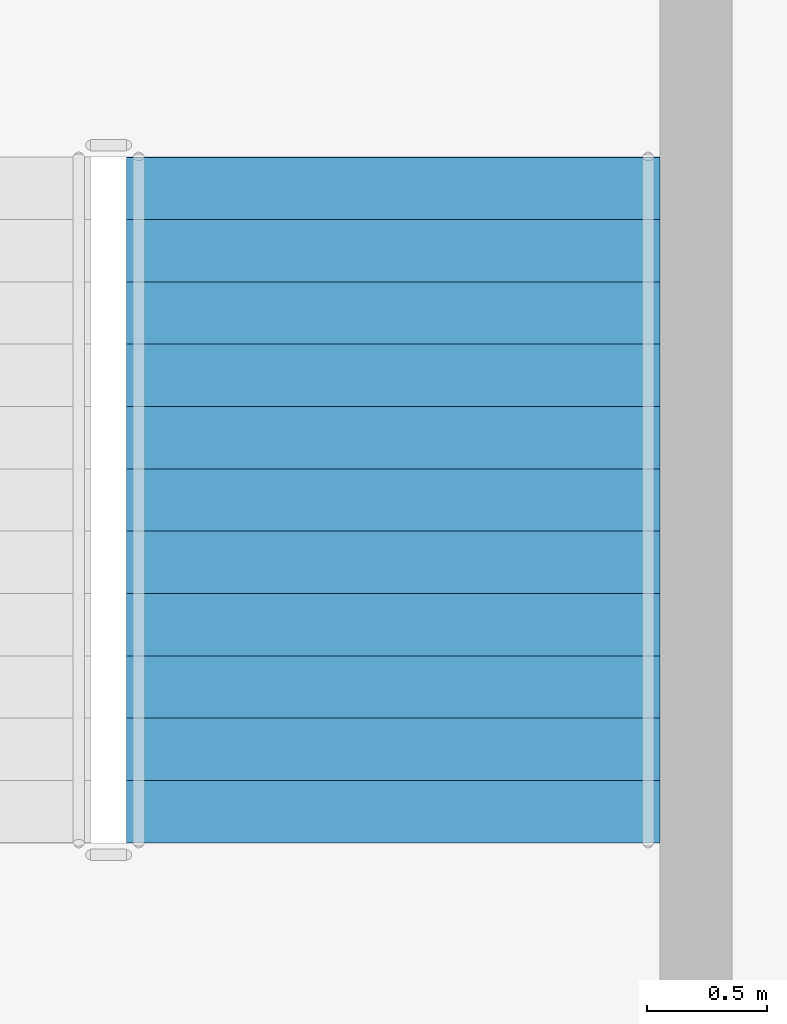
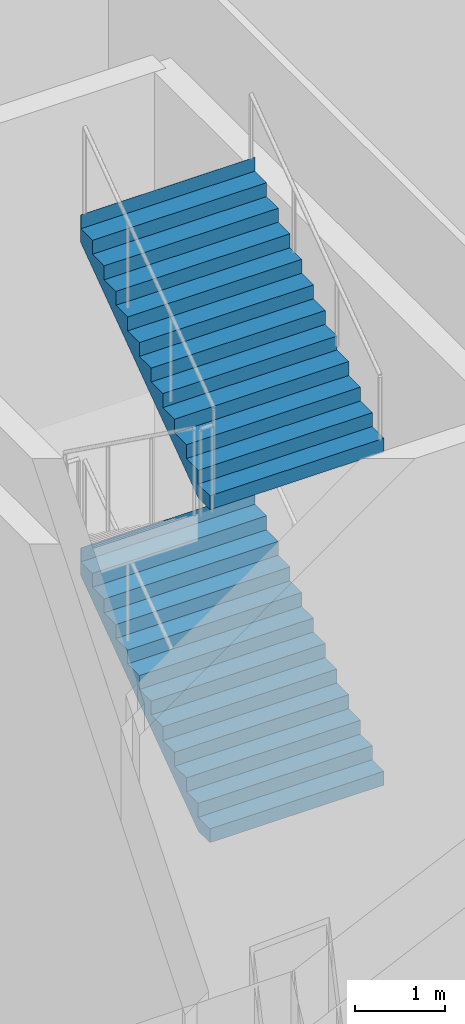
# One storey, part 16 of 35: 2 stair flights, 1 element without a shape of its own.
"""IFC4 building model written with IfcOpenShell, lengths in metres."""

from ifc_helpers import new_model, si_unit, direction, frame, origin, place, context, subcontext, project, spatial, triangles, material, type_object, element, aggregate, save


model = new_model("IFC4")

# Units and contexts
model_context = context("Model", 3, precision=1e-05, world=origin(), true_north=direction((0.0, 1.0)))
body_context = subcontext(model_context, "Body", "Model", "MODEL_VIEW")
ifc_project = project(units=[si_unit("LENGTHUNIT", "METRE"), si_unit("AREAUNIT", "SQUARE_METRE"), si_unit("VOLUMEUNIT", "CUBIC_METRE"), si_unit("PLANEANGLEUNIT", "RADIAN"), si_unit("MASSUNIT", "GRAM", prefix="KILO")], contexts=[model_context])

# Site, building, storey
site_placement = place(None, origin())
site = spatial("IfcSite", under=ifc_project, at=site_placement, CompositionType="ELEMENT")
building_placement = place(site_placement, origin())
building = spatial("IfcBuilding", under=site, at=building_placement, Name="Sahrelin Media Tower", CompositionType="ELEMENT")
storey_placement = place(building_placement, frame((0.0, 0.0, 17.0)))
storey = spatial("IfcBuildingStorey", under=building, at=storey_placement, Name="L02", CompositionType="ELEMENT", Elevation=17.0)

# Stair, stair flights
ifc_material = material(Name="Concrete C40/50", Category="concrete")
stair_type = type_object("IfcStairType", Name="Podium stair 2225", PredefinedType="HALF_TURN_STAIR", material=ifc_material)
stair_placement = place(storey_placement, origin())
stair = element("IfcStair", 1, at=stair_placement, inside=storey, type_object=stair_type, Name="L02 Podium stair PS3", PredefinedType="HALF_TURN_STAIR")
stair_flight_type = type_object("IfcStairFlightType", Name="Stair flight 2225", PredefinedType="STRAIGHT", material=ifc_material)
stair_flight_1_placement = place(storey_placement, frame((-9.46240234375, -33.485107421875, 2.25), z_axis=(0.0, 0.0, 1.0), x_axis=(0.0, 1.0, 0.0)))
stair_flight_1 = element("IfcStairFlight", 2, at=stair_flight_1_placement, type_object=stair_flight_type, Name="PS3 flight 2", NumberOfRisers=12, NumberOfTreads=11, PredefinedType="STRAIGHT", RiserHeight=0.1875, TreadLength=0.26, context=body_context, shape_type="Tessellation", body=[
    triangles([(0.25634765625, 1.112548828125, 0.0), (0.25634765625, 0.794677734375, 0.0), (0.25634765625, 0.476806640625, 0.0), (0.25634765625, 0.158935546875, 0.0), (0.25634765625, -0.158935546875, 0.0), (0.25634765625, -0.476806640625, 0.0), (0.25634765625, -0.794677734375, 0.0), (0.25634765625, -1.112548828125, 0.0), (2.860107421875, 1.112548828125, 1.877685546875), (2.860107421875, 0.794677734375, 1.877685546875), (2.860107421875, 0.476806640625, 1.877685546875), (2.860107421875, 0.158935546875, 1.877685546875), (2.860107421875, -0.158935546875, 1.877685546875), (2.860107421875, -0.476806640625, 1.877685546875), (2.860107421875, -0.794677734375, 1.877685546875), (2.860107421875, -1.112548828125, 1.877685546875), (2.860107421875, 1.112548828125, 2.25), (2.860107421875, 0.794677734375, 2.25), (2.860107421875, 0.476806640625, 2.25), (2.860107421875, 0.158935546875, 2.25), (2.860107421875, -0.158935546875, 2.25), (2.860107421875, -0.476806640625, 2.25), (2.860107421875, -0.794677734375, 2.25), (2.860107421875, -1.112548828125, 2.25), (2.85791015625, 1.112548828125, 2.25), (2.85791015625, 0.794677734375, 2.25), (2.85791015625, 0.476806640625, 2.25), (2.85791015625, 0.158935546875, 2.25), (2.85791015625, -0.158935546875, 2.25), (2.85791015625, -0.476806640625, 2.25), (2.85791015625, -0.794677734375, 2.25), (2.85791015625, -1.112548828125, 2.25), (2.85791015625, 1.112548828125, 2.0625), (2.85791015625, 0.794677734375, 2.0625), (2.85791015625, 0.476806640625, 2.0625), (2.85791015625, 0.158935546875, 2.0625), (2.85791015625, -0.158935546875, 2.0625), (2.85791015625, -0.476806640625, 2.0625), (2.85791015625, -0.794677734375, 2.0625), (2.85791015625, -1.112548828125, 2.0625), (2.60009765625, 1.112548828125, 2.0625), (2.60009765625, 0.794677734375, 2.0625), (2.60009765625, 0.476806640625, 2.0625), (2.60009765625, 0.158935546875, 2.0625), (2.60009765625, -0.158935546875, 2.0625), (2.60009765625, -0.476806640625, 2.0625), (2.60009765625, -0.794677734375, 2.0625), (2.60009765625, -1.112548828125, 2.0625), (2.60009765625, 1.112548828125, 1.875), (2.60009765625, 0.794677734375, 1.875), (2.60009765625, 0.476806640625, 1.875), (2.60009765625, 0.158935546875, 1.875), (2.60009765625, -0.158935546875, 1.875), (2.60009765625, -0.476806640625, 1.875), (2.60009765625, -0.794677734375, 1.875), (2.60009765625, -1.112548828125, 1.875), (2.340087890625, 1.112548828125, 1.875), (2.340087890625, 0.794677734375, 1.875), (2.340087890625, 0.476806640625, 1.875), (2.340087890625, 0.158935546875, 1.875), (2.340087890625, -0.158935546875, 1.875), (2.340087890625, -0.476806640625, 1.875), (2.340087890625, -0.794677734375, 1.875), (2.340087890625, -1.112548828125, 1.875), (2.340087890625, 1.112548828125, 1.6875), (2.340087890625, 0.794677734375, 1.6875), (2.340087890625, 0.476806640625, 1.6875), (2.340087890625, 0.158935546875, 1.6875), (2.340087890625, -0.158935546875, 1.6875), (2.340087890625, -0.476806640625, 1.6875), (2.340087890625, -0.794677734375, 1.6875), (2.340087890625, -1.112548828125, 1.6875), (2.080078125, 1.112548828125, 1.6875), (2.080078125, 0.794677734375, 1.6875), (2.080078125, 0.476806640625, 1.6875), (2.080078125, 0.158935546875, 1.6875), (2.080078125, -0.158935546875, 1.6875), (2.080078125, -0.476806640625, 1.6875), (2.080078125, -0.794677734375, 1.6875), (2.080078125, -1.112548828125, 1.6875), (2.080078125, 1.112548828125, 1.5), (2.080078125, 0.794677734375, 1.5), (2.080078125, 0.476806640625, 1.5), (2.080078125, 0.158935546875, 1.5), (2.080078125, -0.158935546875, 1.5), (2.080078125, -0.476806640625, 1.5), (2.080078125, -0.794677734375, 1.5), (2.080078125, -1.112548828125, 1.5), (1.820068359375, 1.112548828125, 1.5), (1.820068359375, 0.794677734375, 1.5), (1.820068359375, 0.476806640625, 1.5), (1.820068359375, 0.158935546875, 1.5), (1.820068359375, -0.158935546875, 1.5), (1.820068359375, -0.476806640625, 1.5), (1.820068359375, -0.794677734375, 1.5), (1.820068359375, -1.112548828125, 1.5), (1.820068359375, 1.112548828125, 1.3125), (1.820068359375, 0.794677734375, 1.3125), (1.820068359375, 0.476806640625, 1.3125), (1.820068359375, 0.158935546875, 1.3125), (1.820068359375, -0.158935546875, 1.3125), (1.820068359375, -0.476806640625, 1.3125), (1.820068359375, -0.794677734375, 1.3125), (1.820068359375, -1.112548828125, 1.3125), (1.56005859375, 1.112548828125, 1.3125), (1.56005859375, 0.794677734375, 1.3125), (1.56005859375, 0.476806640625, 1.3125), (1.56005859375, 0.158935546875, 1.3125), (1.56005859375, -0.158935546875, 1.3125), (1.56005859375, -0.476806640625, 1.3125), (1.56005859375, -0.794677734375, 1.3125), (1.56005859375, -1.112548828125, 1.3125), (1.56005859375, 1.112548828125, 1.125), (1.56005859375, 0.794677734375, 1.125), (1.56005859375, 0.476806640625, 1.125), (1.56005859375, 0.158935546875, 1.125), (1.56005859375, -0.158935546875, 1.125), (1.56005859375, -0.476806640625, 1.125), (1.56005859375, -0.794677734375, 1.125), (1.56005859375, -1.112548828125, 1.125), (1.300048828125, 1.112548828125, 1.125), (1.300048828125, 0.794677734375, 1.125), (1.300048828125, 0.476806640625, 1.125), (1.300048828125, 0.158935546875, 1.125), (1.300048828125, -0.158935546875, 1.125), (1.300048828125, -0.476806640625, 1.125), (1.300048828125, -0.794677734375, 1.125), (1.300048828125, -1.112548828125, 1.125), (1.300048828125, 1.112548828125, 0.9375), (1.300048828125, 0.794677734375, 0.9375), (1.300048828125, 0.476806640625, 0.9375), (1.300048828125, 0.158935546875, 0.9375), (1.300048828125, -0.158935546875, 0.9375), (1.300048828125, -0.476806640625, 0.9375), (1.300048828125, -0.794677734375, 0.9375), (1.300048828125, -1.112548828125, 0.9375), (1.0400390625, 1.112548828125, 0.9375), (1.0400390625, 0.794677734375, 0.9375), (1.0400390625, 0.476806640625, 0.9375), (1.0400390625, 0.158935546875, 0.9375), (1.0400390625, -0.158935546875, 0.9375), (1.0400390625, -0.476806640625, 0.9375), (1.0400390625, -0.794677734375, 0.9375), (1.0400390625, -1.112548828125, 0.9375), (1.0400390625, 1.112548828125, 0.75), (1.0400390625, 0.794677734375, 0.75), (1.0400390625, 0.476806640625, 0.75), (1.0400390625, 0.158935546875, 0.75), (1.0400390625, -0.158935546875, 0.75), (1.0400390625, -0.476806640625, 0.75), (1.0400390625, -0.794677734375, 0.75), (1.0400390625, -1.112548828125, 0.75), (0.780029296875, 1.112548828125, 0.75), (0.780029296875, 0.794677734375, 0.75), (0.780029296875, 0.476806640625, 0.75), (0.780029296875, 0.158935546875, 0.75), (0.780029296875, -0.158935546875, 0.75), (0.780029296875, -0.476806640625, 0.75), (0.780029296875, -0.794677734375, 0.75), (0.780029296875, -1.112548828125, 0.75), (0.780029296875, 1.112548828125, 0.5625), (0.780029296875, 0.794677734375, 0.5625), (0.780029296875, 0.476806640625, 0.5625), (0.780029296875, 0.158935546875, 0.5625), (0.780029296875, -0.158935546875, 0.5625), (0.780029296875, -0.476806640625, 0.5625), (0.780029296875, -0.794677734375, 0.5625), (0.780029296875, -1.112548828125, 0.5625), (0.52001953125, 1.112548828125, 0.5625), (0.52001953125, 0.794677734375, 0.5625), (0.52001953125, 0.476806640625, 0.5625), (0.52001953125, 0.158935546875, 0.5625), (0.52001953125, -0.158935546875, 0.5625), (0.52001953125, -0.476806640625, 0.5625), (0.52001953125, -0.794677734375, 0.5625), (0.52001953125, -1.112548828125, 0.5625), (0.52001953125, 1.112548828125, 0.375), (0.52001953125, 0.794677734375, 0.375), (0.52001953125, 0.476806640625, 0.375), (0.52001953125, 0.158935546875, 0.375), (0.52001953125, -0.158935546875, 0.375), (0.52001953125, -0.476806640625, 0.375), (0.52001953125, -0.794677734375, 0.375), (0.52001953125, -1.112548828125, 0.375), (0.260009765625, 1.112548828125, 0.375), (0.260009765625, 0.794677734375, 0.375), (0.260009765625, 0.476806640625, 0.375), (0.260009765625, 0.158935546875, 0.375), (0.260009765625, -0.158935546875, 0.375), (0.260009765625, -0.476806640625, 0.375), (0.260009765625, -0.794677734375, 0.375), (0.260009765625, -1.112548828125, 0.375), (0.260009765625, 1.112548828125, 0.1875), (0.260009765625, 0.794677734375, 0.1875), (0.260009765625, 0.476806640625, 0.1875), (0.260009765625, 0.158935546875, 0.1875), (0.260009765625, -0.158935546875, 0.1875), (0.260009765625, -0.476806640625, 0.1875), (0.260009765625, -0.794677734375, 0.1875), (0.260009765625, -1.112548828125, 0.1875), (0.0, 1.112548828125, 0.1875), (0.0, 0.794677734375, 0.1875), (0.0, 0.476806640625, 0.1875), (0.0, 0.158935546875, 0.1875), (0.0, -0.158935546875, 0.1875), (0.0, -0.476806640625, 0.1875), (0.0, -0.794677734375, 0.1875), (0.0, -1.112548828125, 0.1875), (0.0, 1.112548828125, 0.0), (0.0, 0.794677734375, 0.0), (0.0, 0.476806640625, 0.0), (0.0, 0.158935546875, 0.0), (0.0, -0.158935546875, 0.0), (0.0, -0.476806640625, 0.0), (0.0, -0.794677734375, 0.0), (0.0, -1.112548828125, 0.0)], [[1, 9, 10], [1, 10, 2], [2, 10, 11], [2, 11, 3], [3, 11, 12], [3, 12, 4], [4, 12, 13], [4, 13, 5], [5, 13, 14], [5, 14, 6], [6, 14, 15], [6, 15, 7], [7, 15, 16], [7, 16, 8], [9, 17, 18], [9, 18, 10], [10, 18, 19], [10, 19, 11], [11, 19, 20], [11, 20, 12], [12, 20, 21], [12, 21, 13], [13, 21, 22], [13, 22, 14], [14, 22, 23], [14, 23, 15], [15, 23, 24], [15, 24, 16], [17, 25, 26], [17, 26, 18], [18, 26, 27], [18, 27, 19], [19, 27, 28], [19, 28, 20], [20, 28, 29], [20, 29, 21], [21, 29, 30], [21, 30, 22], [22, 30, 31], [22, 31, 23], [23, 31, 32], [23, 32, 24], [25, 33, 34], [25, 34, 26], [26, 34, 35], [26, 35, 27], [27, 35, 36], [27, 36, 28], [28, 36, 37], [28, 37, 29], [29, 37, 38], [29, 38, 30], [30, 38, 39], [30, 39, 31], [31, 39, 40], [31, 40, 32], [33, 41, 42], [33, 42, 34], [34, 42, 43], [34, 43, 35], [35, 43, 44], [35, 44, 36], [36, 44, 45], [36, 45, 37], [37, 45, 46], [37, 46, 38], [38, 46, 47], [38, 47, 39], [39, 47, 48], [39, 48, 40], [41, 49, 50], [41, 50, 42], [42, 50, 51], [42, 51, 43], [43, 51, 52], [43, 52, 44], [44, 52, 53], [44, 53, 45], [45, 53, 54], [45, 54, 46], [46, 54, 55], [46, 55, 47], [47, 55, 56], [47, 56, 48], [49, 57, 58], [49, 58, 50], [50, 58, 59], [50, 59, 51], [51, 59, 60], [51, 60, 52], [52, 60, 61], [52, 61, 53], [53, 61, 62], [53, 62, 54], [54, 62, 63], [54, 63, 55], [55, 63, 64], [55, 64, 56], [57, 65, 66], [57, 66, 58], [58, 66, 67], [58, 67, 59], [59, 67, 68], [59, 68, 60], [60, 68, 69], [60, 69, 61], [61, 69, 70], [61, 70, 62], [62, 70, 71], [62, 71, 63], [63, 71, 72], [63, 72, 64], [65, 73, 74], [65, 74, 66], [66, 74, 75], [66, 75, 67], [67, 75, 76], [67, 76, 68], [68, 76, 77], [68, 77, 69], [69, 77, 78], [69, 78, 70], [70, 78, 79], [70, 79, 71], [71, 79, 80], [71, 80, 72], [73, 81, 82], [73, 82, 74], [74, 82, 83], [74, 83, 75], [75, 83, 84], [75, 84, 76], [76, 84, 85], [76, 85, 77], [77, 85, 86], [77, 86, 78], [78, 86, 87], [78, 87, 79], [79, 87, 88], [79, 88, 80], [81, 89, 90], [81, 90, 82], [82, 90, 91], [82, 91, 83], [83, 91, 92], [83, 92, 84], [84, 92, 93], [84, 93, 85], [85, 93, 94], [85, 94, 86], [86, 94, 95], [86, 95, 87], [87, 95, 96], [87, 96, 88], [89, 97, 98], [89, 98, 90], [90, 98, 99], [90, 99, 91], [91, 99, 100], [91, 100, 92], [92, 100, 101], [92, 101, 93], [93, 101, 102], [93, 102, 94], [94, 102, 103], [94, 103, 95], [95, 103, 104], [95, 104, 96], [97, 105, 106], [97, 106, 98], [98, 106, 107], [98, 107, 99], [99, 107, 108], [99, 108, 100], [100, 108, 109], [100, 109, 101], [101, 109, 110], [101, 110, 102], [102, 110, 111], [102, 111, 103], [103, 111, 112], [103, 112, 104], [105, 113, 114], [105, 114, 106], [106, 114, 115], [106, 115, 107], [107, 115, 116], [107, 116, 108], [108, 116, 117], [108, 117, 109], [109, 117, 118], [109, 118, 110], [110, 118, 119], [110, 119, 111], [111, 119, 120], [111, 120, 112], [113, 121, 122], [113, 122, 114], [114, 122, 123], [114, 123, 115], [115, 123, 124], [115, 124, 116], [116, 124, 125], [116, 125, 117], [117, 125, 126], [117, 126, 118], [118, 126, 127], [118, 127, 119], [119, 127, 128], [119, 128, 120], [121, 129, 130], [121, 130, 122], [122, 130, 131], [122, 131, 123], [123, 131, 132], [123, 132, 124], [124, 132, 133], [124, 133, 125], [125, 133, 134], [125, 134, 126], [126, 134, 135], [126, 135, 127], [127, 135, 136], [127, 136, 128], [129, 137, 138], [129, 138, 130], [130, 138, 139], [130, 139, 131], [131, 139, 140], [131, 140, 132], [132, 140, 141], [132, 141, 133], [133, 141, 142], [133, 142, 134], [134, 142, 143], [134, 143, 135], [135, 143, 144], [135, 144, 136], [137, 145, 146], [137, 146, 138], [138, 146, 147], [138, 147, 139], [139, 147, 148], [139, 148, 140], [140, 148, 149], [140, 149, 141], [141, 149, 150], [141, 150, 142], [142, 150, 151], [142, 151, 143], [143, 151, 152], [143, 152, 144], [145, 153, 154], [145, 154, 146], [146, 154, 155], [146, 155, 147], [147, 155, 156], [147, 156, 148], [148, 156, 157], [148, 157, 149], [149, 157, 158], [149, 158, 150], [150, 158, 159], [150, 159, 151], [151, 159, 160], [151, 160, 152], [153, 161, 162], [153, 162, 154], [154, 162, 163], [154, 163, 155], [155, 163, 164], [155, 164, 156], [156, 164, 165], [156, 165, 157], [157, 165, 166], [157, 166, 158], [158, 166, 167], [158, 167, 159], [159, 167, 168], [159, 168, 160], [161, 169, 170], [161, 170, 162], [162, 170, 171], [162, 171, 163], [163, 171, 172], [163, 172, 164], [164, 172, 173], [164, 173, 165], [165, 173, 174], [165, 174, 166], [166, 174, 175], [166, 175, 167], [167, 175, 176], [167, 176, 168], [169, 177, 178], [169, 178, 170], [170, 178, 179], [170, 179, 171], [171, 179, 180], [171, 180, 172], [172, 180, 181], [172, 181, 173], [173, 181, 182], [173, 182, 174], [174, 182, 183], [174, 183, 175], [175, 183, 184], [175, 184, 176], [177, 185, 186], [177, 186, 178], [178, 186, 187], [178, 187, 179], [179, 187, 188], [179, 188, 180], [180, 188, 189], [180, 189, 181], [181, 189, 190], [181, 190, 182], [182, 190, 191], [182, 191, 183], [183, 191, 192], [183, 192, 184], [185, 193, 194], [185, 194, 186], [186, 194, 195], [186, 195, 187], [187, 195, 196], [187, 196, 188], [188, 196, 197], [188, 197, 189], [189, 197, 198], [189, 198, 190], [190, 198, 199], [190, 199, 191], [191, 199, 200], [191, 200, 192], [193, 201, 202], [193, 202, 194], [194, 202, 203], [194, 203, 195], [195, 203, 204], [195, 204, 196], [196, 204, 205], [196, 205, 197], [197, 205, 206], [197, 206, 198], [198, 206, 207], [198, 207, 199], [199, 207, 208], [199, 208, 200], [201, 209, 210], [201, 210, 202], [202, 210, 211], [202, 211, 203], [203, 211, 212], [203, 212, 204], [204, 212, 213], [204, 213, 205], [205, 213, 214], [205, 214, 206], [206, 214, 215], [206, 215, 207], [207, 215, 216], [207, 216, 208], [209, 1, 2], [209, 2, 210], [210, 2, 3], [210, 3, 211], [211, 3, 4], [211, 4, 212], [212, 4, 5], [212, 5, 213], [213, 5, 6], [213, 6, 214], [214, 6, 7], [214, 7, 215], [215, 7, 8], [215, 8, 216], [8, 208, 216], [1, 209, 201], [200, 184, 192], [193, 185, 177], [184, 168, 176], [177, 169, 161], [168, 152, 160], [161, 153, 145], [152, 136, 144], [145, 137, 129], [136, 120, 128], [129, 121, 113], [120, 104, 112], [113, 105, 97], [104, 88, 96], [97, 89, 81], [88, 72, 80], [81, 73, 65], [72, 56, 64], [65, 57, 49], [56, 40, 48], [49, 41, 33], [40, 24, 32], [33, 25, 17], [8, 200, 208], [1, 201, 193], [16, 56, 72], [9, 65, 49], [40, 16, 24], [33, 17, 9], [184, 200, 8], [177, 1, 193], [56, 16, 40], [49, 33, 9], [168, 184, 8], [161, 1, 177], [72, 88, 16], [65, 9, 81], [152, 168, 8], [145, 1, 161], [104, 16, 88], [97, 81, 9], [136, 152, 8], [129, 1, 145], [120, 16, 104], [113, 97, 9], [120, 136, 8], [113, 1, 129], [8, 16, 120], [1, 113, 9]], closed=True),
])
stair_flight_2_placement = place(storey_placement, frame((-9.46240234375, -33.485107421875, 6.75), z_axis=(0.0, 0.0, 1.0), x_axis=(0.0, 1.0, 0.0)))
stair_flight_2 = element("IfcStairFlight", 3, at=stair_flight_2_placement, type_object=stair_flight_type, Name="PS3 flight 4", NumberOfRisers=12, NumberOfTreads=11, PredefinedType="STRAIGHT", RiserHeight=0.1875, TreadLength=0.26, context=body_context, shape_type="Tessellation", body=[
    triangles([(0.25634765625, 1.112548828125, 0.0), (0.25634765625, 0.794677734375, 0.0), (0.25634765625, 0.476806640625, 0.0), (0.25634765625, 0.158935546875, 0.0), (0.25634765625, -0.158935546875, 0.0), (0.25634765625, -0.476806640625, 0.0), (0.25634765625, -0.794677734375, 0.0), (0.25634765625, -1.112548828125, 0.0), (2.860107421875, 1.112548828125, 1.877685546875), (2.860107421875, 0.794677734375, 1.877685546875), (2.860107421875, 0.476806640625, 1.877685546875), (2.860107421875, 0.158935546875, 1.877685546875), (2.860107421875, -0.158935546875, 1.877685546875), (2.860107421875, -0.476806640625, 1.877685546875), (2.860107421875, -0.794677734375, 1.877685546875), (2.860107421875, -1.112548828125, 1.877685546875), (2.860107421875, 1.112548828125, 2.25), (2.860107421875, 0.794677734375, 2.25), (2.860107421875, 0.476806640625, 2.25), (2.860107421875, 0.158935546875, 2.25), (2.860107421875, -0.158935546875, 2.25), (2.860107421875, -0.476806640625, 2.25), (2.860107421875, -0.794677734375, 2.25), (2.860107421875, -1.112548828125, 2.25), (2.85791015625, 1.112548828125, 2.25), (2.85791015625, 0.794677734375, 2.25), (2.85791015625, 0.476806640625, 2.25), (2.85791015625, 0.158935546875, 2.25), (2.85791015625, -0.158935546875, 2.25), (2.85791015625, -0.476806640625, 2.25), (2.85791015625, -0.794677734375, 2.25), (2.85791015625, -1.112548828125, 2.25), (2.85791015625, 1.112548828125, 2.0625), (2.85791015625, 0.794677734375, 2.0625), (2.85791015625, 0.476806640625, 2.0625), (2.85791015625, 0.158935546875, 2.0625), (2.85791015625, -0.158935546875, 2.0625), (2.85791015625, -0.476806640625, 2.0625), (2.85791015625, -0.794677734375, 2.0625), (2.85791015625, -1.112548828125, 2.0625), (2.60009765625, 1.112548828125, 2.0625), (2.60009765625, 0.794677734375, 2.0625), (2.60009765625, 0.476806640625, 2.0625), (2.60009765625, 0.158935546875, 2.0625), (2.60009765625, -0.158935546875, 2.0625), (2.60009765625, -0.476806640625, 2.0625), (2.60009765625, -0.794677734375, 2.0625), (2.60009765625, -1.112548828125, 2.0625), (2.60009765625, 1.112548828125, 1.875), (2.60009765625, 0.794677734375, 1.875), (2.60009765625, 0.476806640625, 1.875), (2.60009765625, 0.158935546875, 1.875), (2.60009765625, -0.158935546875, 1.875), (2.60009765625, -0.476806640625, 1.875), (2.60009765625, -0.794677734375, 1.875), (2.60009765625, -1.112548828125, 1.875), (2.340087890625, 1.112548828125, 1.875), (2.340087890625, 0.794677734375, 1.875), (2.340087890625, 0.476806640625, 1.875), (2.340087890625, 0.158935546875, 1.875), (2.340087890625, -0.158935546875, 1.875), (2.340087890625, -0.476806640625, 1.875), (2.340087890625, -0.794677734375, 1.875), (2.340087890625, -1.112548828125, 1.875), (2.340087890625, 1.112548828125, 1.6875), (2.340087890625, 0.794677734375, 1.6875), (2.340087890625, 0.476806640625, 1.6875), (2.340087890625, 0.158935546875, 1.6875), (2.340087890625, -0.158935546875, 1.6875), (2.340087890625, -0.476806640625, 1.6875), (2.340087890625, -0.794677734375, 1.6875), (2.340087890625, -1.112548828125, 1.6875), (2.080078125, 1.112548828125, 1.6875), (2.080078125, 0.794677734375, 1.6875), (2.080078125, 0.476806640625, 1.6875), (2.080078125, 0.158935546875, 1.6875), (2.080078125, -0.158935546875, 1.6875), (2.080078125, -0.476806640625, 1.6875), (2.080078125, -0.794677734375, 1.6875), (2.080078125, -1.112548828125, 1.6875), (2.080078125, 1.112548828125, 1.5), (2.080078125, 0.794677734375, 1.5), (2.080078125, 0.476806640625, 1.5), (2.080078125, 0.158935546875, 1.5), (2.080078125, -0.158935546875, 1.5), (2.080078125, -0.476806640625, 1.5), (2.080078125, -0.794677734375, 1.5), (2.080078125, -1.112548828125, 1.5), (1.820068359375, 1.112548828125, 1.5), (1.820068359375, 0.794677734375, 1.5), (1.820068359375, 0.476806640625, 1.5), (1.820068359375, 0.158935546875, 1.5), (1.820068359375, -0.158935546875, 1.5), (1.820068359375, -0.476806640625, 1.5), (1.820068359375, -0.794677734375, 1.5), (1.820068359375, -1.112548828125, 1.5), (1.820068359375, 1.112548828125, 1.3125), (1.820068359375, 0.794677734375, 1.3125), (1.820068359375, 0.476806640625, 1.3125), (1.820068359375, 0.158935546875, 1.3125), (1.820068359375, -0.158935546875, 1.3125), (1.820068359375, -0.476806640625, 1.3125), (1.820068359375, -0.794677734375, 1.3125), (1.820068359375, -1.112548828125, 1.3125), (1.56005859375, 1.112548828125, 1.3125), (1.56005859375, 0.794677734375, 1.3125), (1.56005859375, 0.476806640625, 1.3125), (1.56005859375, 0.158935546875, 1.3125), (1.56005859375, -0.158935546875, 1.3125), (1.56005859375, -0.476806640625, 1.3125), (1.56005859375, -0.794677734375, 1.3125), (1.56005859375, -1.112548828125, 1.3125), (1.56005859375, 1.112548828125, 1.125), (1.56005859375, 0.794677734375, 1.125), (1.56005859375, 0.476806640625, 1.125), (1.56005859375, 0.158935546875, 1.125), (1.56005859375, -0.158935546875, 1.125), (1.56005859375, -0.476806640625, 1.125), (1.56005859375, -0.794677734375, 1.125), (1.56005859375, -1.112548828125, 1.125), (1.300048828125, 1.112548828125, 1.125), (1.300048828125, 0.794677734375, 1.125), (1.300048828125, 0.476806640625, 1.125), (1.300048828125, 0.158935546875, 1.125), (1.300048828125, -0.158935546875, 1.125), (1.300048828125, -0.476806640625, 1.125), (1.300048828125, -0.794677734375, 1.125), (1.300048828125, -1.112548828125, 1.125), (1.300048828125, 1.112548828125, 0.9375), (1.300048828125, 0.794677734375, 0.9375), (1.300048828125, 0.476806640625, 0.9375), (1.300048828125, 0.158935546875, 0.9375), (1.300048828125, -0.158935546875, 0.9375), (1.300048828125, -0.476806640625, 0.9375), (1.300048828125, -0.794677734375, 0.9375), (1.300048828125, -1.112548828125, 0.9375), (1.0400390625, 1.112548828125, 0.9375), (1.0400390625, 0.794677734375, 0.9375), (1.0400390625, 0.476806640625, 0.9375), (1.0400390625, 0.158935546875, 0.9375), (1.0400390625, -0.158935546875, 0.9375), (1.0400390625, -0.476806640625, 0.9375), (1.0400390625, -0.794677734375, 0.9375), (1.0400390625, -1.112548828125, 0.9375), (1.0400390625, 1.112548828125, 0.75), (1.0400390625, 0.794677734375, 0.75), (1.0400390625, 0.476806640625, 0.75), (1.0400390625, 0.158935546875, 0.75), (1.0400390625, -0.158935546875, 0.75), (1.0400390625, -0.476806640625, 0.75), (1.0400390625, -0.794677734375, 0.75), (1.0400390625, -1.112548828125, 0.75), (0.780029296875, 1.112548828125, 0.75), (0.780029296875, 0.794677734375, 0.75), (0.780029296875, 0.476806640625, 0.75), (0.780029296875, 0.158935546875, 0.75), (0.780029296875, -0.158935546875, 0.75), (0.780029296875, -0.476806640625, 0.75), (0.780029296875, -0.794677734375, 0.75), (0.780029296875, -1.112548828125, 0.75), (0.780029296875, 1.112548828125, 0.5625), (0.780029296875, 0.794677734375, 0.5625), (0.780029296875, 0.476806640625, 0.5625), (0.780029296875, 0.158935546875, 0.5625), (0.780029296875, -0.158935546875, 0.5625), (0.780029296875, -0.476806640625, 0.5625), (0.780029296875, -0.794677734375, 0.5625), (0.780029296875, -1.112548828125, 0.5625), (0.52001953125, 1.112548828125, 0.5625), (0.52001953125, 0.794677734375, 0.5625), (0.52001953125, 0.476806640625, 0.5625), (0.52001953125, 0.158935546875, 0.5625), (0.52001953125, -0.158935546875, 0.5625), (0.52001953125, -0.476806640625, 0.5625), (0.52001953125, -0.794677734375, 0.5625), (0.52001953125, -1.112548828125, 0.5625), (0.52001953125, 1.112548828125, 0.375), (0.52001953125, 0.794677734375, 0.375), (0.52001953125, 0.476806640625, 0.375), (0.52001953125, 0.158935546875, 0.375), (0.52001953125, -0.158935546875, 0.375), (0.52001953125, -0.476806640625, 0.375), (0.52001953125, -0.794677734375, 0.375), (0.52001953125, -1.112548828125, 0.375), (0.260009765625, 1.112548828125, 0.375), (0.260009765625, 0.794677734375, 0.375), (0.260009765625, 0.476806640625, 0.375), (0.260009765625, 0.158935546875, 0.375), (0.260009765625, -0.158935546875, 0.375), (0.260009765625, -0.476806640625, 0.375), (0.260009765625, -0.794677734375, 0.375), (0.260009765625, -1.112548828125, 0.375), (0.260009765625, 1.112548828125, 0.1875), (0.260009765625, 0.794677734375, 0.1875), (0.260009765625, 0.476806640625, 0.1875), (0.260009765625, 0.158935546875, 0.1875), (0.260009765625, -0.158935546875, 0.1875), (0.260009765625, -0.476806640625, 0.1875), (0.260009765625, -0.794677734375, 0.1875), (0.260009765625, -1.112548828125, 0.1875), (0.0, 1.112548828125, 0.1875), (0.0, 0.794677734375, 0.1875), (0.0, 0.476806640625, 0.1875), (0.0, 0.158935546875, 0.1875), (0.0, -0.158935546875, 0.1875), (0.0, -0.476806640625, 0.1875), (0.0, -0.794677734375, 0.1875), (0.0, -1.112548828125, 0.1875), (0.0, 1.112548828125, 0.0), (0.0, 0.794677734375, 0.0), (0.0, 0.476806640625, 0.0), (0.0, 0.158935546875, 0.0), (0.0, -0.158935546875, 0.0), (0.0, -0.476806640625, 0.0), (0.0, -0.794677734375, 0.0), (0.0, -1.112548828125, 0.0)], [[1, 9, 10], [1, 10, 2], [2, 10, 11], [2, 11, 3], [3, 11, 12], [3, 12, 4], [4, 12, 13], [4, 13, 5], [5, 13, 14], [5, 14, 6], [6, 14, 15], [6, 15, 7], [7, 15, 16], [7, 16, 8], [9, 17, 18], [9, 18, 10], [10, 18, 19], [10, 19, 11], [11, 19, 20], [11, 20, 12], [12, 20, 21], [12, 21, 13], [13, 21, 22], [13, 22, 14], [14, 22, 23], [14, 23, 15], [15, 23, 24], [15, 24, 16], [17, 25, 26], [17, 26, 18], [18, 26, 27], [18, 27, 19], [19, 27, 28], [19, 28, 20], [20, 28, 29], [20, 29, 21], [21, 29, 30], [21, 30, 22], [22, 30, 31], [22, 31, 23], [23, 31, 32], [23, 32, 24], [25, 33, 34], [25, 34, 26], [26, 34, 35], [26, 35, 27], [27, 35, 36], [27, 36, 28], [28, 36, 37], [28, 37, 29], [29, 37, 38], [29, 38, 30], [30, 38, 39], [30, 39, 31], [31, 39, 40], [31, 40, 32], [33, 41, 42], [33, 42, 34], [34, 42, 43], [34, 43, 35], [35, 43, 44], [35, 44, 36], [36, 44, 45], [36, 45, 37], [37, 45, 46], [37, 46, 38], [38, 46, 47], [38, 47, 39], [39, 47, 48], [39, 48, 40], [41, 49, 50], [41, 50, 42], [42, 50, 51], [42, 51, 43], [43, 51, 52], [43, 52, 44], [44, 52, 53], [44, 53, 45], [45, 53, 54], [45, 54, 46], [46, 54, 55], [46, 55, 47], [47, 55, 56], [47, 56, 48], [49, 57, 58], [49, 58, 50], [50, 58, 59], [50, 59, 51], [51, 59, 60], [51, 60, 52], [52, 60, 61], [52, 61, 53], [53, 61, 62], [53, 62, 54], [54, 62, 63], [54, 63, 55], [55, 63, 64], [55, 64, 56], [57, 65, 66], [57, 66, 58], [58, 66, 67], [58, 67, 59], [59, 67, 68], [59, 68, 60], [60, 68, 69], [60, 69, 61], [61, 69, 70], [61, 70, 62], [62, 70, 71], [62, 71, 63], [63, 71, 72], [63, 72, 64], [65, 73, 74], [65, 74, 66], [66, 74, 75], [66, 75, 67], [67, 75, 76], [67, 76, 68], [68, 76, 77], [68, 77, 69], [69, 77, 78], [69, 78, 70], [70, 78, 79], [70, 79, 71], [71, 79, 80], [71, 80, 72], [73, 81, 82], [73, 82, 74], [74, 82, 83], [74, 83, 75], [75, 83, 84], [75, 84, 76], [76, 84, 85], [76, 85, 77], [77, 85, 86], [77, 86, 78], [78, 86, 87], [78, 87, 79], [79, 87, 88], [79, 88, 80], [81, 89, 90], [81, 90, 82], [82, 90, 91], [82, 91, 83], [83, 91, 92], [83, 92, 84], [84, 92, 93], [84, 93, 85], [85, 93, 94], [85, 94, 86], [86, 94, 95], [86, 95, 87], [87, 95, 96], [87, 96, 88], [89, 97, 98], [89, 98, 90], [90, 98, 99], [90, 99, 91], [91, 99, 100], [91, 100, 92], [92, 100, 101], [92, 101, 93], [93, 101, 102], [93, 102, 94], [94, 102, 103], [94, 103, 95], [95, 103, 104], [95, 104, 96], [97, 105, 106], [97, 106, 98], [98, 106, 107], [98, 107, 99], [99, 107, 108], [99, 108, 100], [100, 108, 109], [100, 109, 101], [101, 109, 110], [101, 110, 102], [102, 110, 111], [102, 111, 103], [103, 111, 112], [103, 112, 104], [105, 113, 114], [105, 114, 106], [106, 114, 115], [106, 115, 107], [107, 115, 116], [107, 116, 108], [108, 116, 117], [108, 117, 109], [109, 117, 118], [109, 118, 110], [110, 118, 119], [110, 119, 111], [111, 119, 120], [111, 120, 112], [113, 121, 122], [113, 122, 114], [114, 122, 123], [114, 123, 115], [115, 123, 124], [115, 124, 116], [116, 124, 125], [116, 125, 117], [117, 125, 126], [117, 126, 118], [118, 126, 127], [118, 127, 119], [119, 127, 128], [119, 128, 120], [121, 129, 130], [121, 130, 122], [122, 130, 131], [122, 131, 123], [123, 131, 132], [123, 132, 124], [124, 132, 133], [124, 133, 125], [125, 133, 134], [125, 134, 126], [126, 134, 135], [126, 135, 127], [127, 135, 136], [127, 136, 128], [129, 137, 138], [129, 138, 130], [130, 138, 139], [130, 139, 131], [131, 139, 140], [131, 140, 132], [132, 140, 141], [132, 141, 133], [133, 141, 142], [133, 142, 134], [134, 142, 143], [134, 143, 135], [135, 143, 144], [135, 144, 136], [137, 145, 146], [137, 146, 138], [138, 146, 147], [138, 147, 139], [139, 147, 148], [139, 148, 140], [140, 148, 149], [140, 149, 141], [141, 149, 150], [141, 150, 142], [142, 150, 151], [142, 151, 143], [143, 151, 152], [143, 152, 144], [145, 153, 154], [145, 154, 146], [146, 154, 155], [146, 155, 147], [147, 155, 156], [147, 156, 148], [148, 156, 157], [148, 157, 149], [149, 157, 158], [149, 158, 150], [150, 158, 159], [150, 159, 151], [151, 159, 160], [151, 160, 152], [153, 161, 162], [153, 162, 154], [154, 162, 163], [154, 163, 155], [155, 163, 164], [155, 164, 156], [156, 164, 165], [156, 165, 157], [157, 165, 166], [157, 166, 158], [158, 166, 167], [158, 167, 159], [159, 167, 168], [159, 168, 160], [161, 169, 170], [161, 170, 162], [162, 170, 171], [162, 171, 163], [163, 171, 172], [163, 172, 164], [164, 172, 173], [164, 173, 165], [165, 173, 174], [165, 174, 166], [166, 174, 175], [166, 175, 167], [167, 175, 176], [167, 176, 168], [169, 177, 178], [169, 178, 170], [170, 178, 179], [170, 179, 171], [171, 179, 180], [171, 180, 172], [172, 180, 181], [172, 181, 173], [173, 181, 182], [173, 182, 174], [174, 182, 183], [174, 183, 175], [175, 183, 184], [175, 184, 176], [177, 185, 186], [177, 186, 178], [178, 186, 187], [178, 187, 179], [179, 187, 188], [179, 188, 180], [180, 188, 189], [180, 189, 181], [181, 189, 190], [181, 190, 182], [182, 190, 191], [182, 191, 183], [183, 191, 192], [183, 192, 184], [185, 193, 194], [185, 194, 186], [186, 194, 195], [186, 195, 187], [187, 195, 196], [187, 196, 188], [188, 196, 197], [188, 197, 189], [189, 197, 198], [189, 198, 190], [190, 198, 199], [190, 199, 191], [191, 199, 200], [191, 200, 192], [193, 201, 202], [193, 202, 194], [194, 202, 203], [194, 203, 195], [195, 203, 204], [195, 204, 196], [196, 204, 205], [196, 205, 197], [197, 205, 206], [197, 206, 198], [198, 206, 207], [198, 207, 199], [199, 207, 208], [199, 208, 200], [201, 209, 210], [201, 210, 202], [202, 210, 211], [202, 211, 203], [203, 211, 212], [203, 212, 204], [204, 212, 213], [204, 213, 205], [205, 213, 214], [205, 214, 206], [206, 214, 215], [206, 215, 207], [207, 215, 216], [207, 216, 208], [209, 1, 2], [209, 2, 210], [210, 2, 3], [210, 3, 211], [211, 3, 4], [211, 4, 212], [212, 4, 5], [212, 5, 213], [213, 5, 6], [213, 6, 214], [214, 6, 7], [214, 7, 215], [215, 7, 8], [215, 8, 216], [8, 208, 216], [1, 209, 201], [200, 184, 192], [193, 185, 177], [184, 168, 176], [177, 169, 161], [168, 152, 160], [161, 153, 145], [152, 136, 144], [145, 137, 129], [136, 120, 128], [129, 121, 113], [120, 104, 112], [113, 105, 97], [104, 88, 96], [97, 89, 81], [88, 72, 80], [81, 73, 65], [72, 56, 64], [65, 57, 49], [56, 40, 48], [49, 41, 33], [40, 24, 32], [33, 25, 17], [8, 200, 208], [1, 201, 193], [16, 56, 72], [9, 65, 49], [40, 16, 24], [33, 17, 9], [184, 200, 8], [177, 1, 193], [56, 16, 40], [49, 33, 9], [168, 184, 8], [161, 1, 177], [72, 88, 16], [65, 9, 81], [152, 168, 8], [145, 1, 161], [104, 16, 88], [97, 81, 9], [136, 152, 8], [129, 1, 145], [120, 16, 104], [113, 97, 9], [120, 136, 8], [113, 1, 129], [8, 16, 120], [1, 113, 9]], closed=True),
])
aggregate(stair, [stair_flight_1, stair_flight_2])

save(model, "model.ifc")
